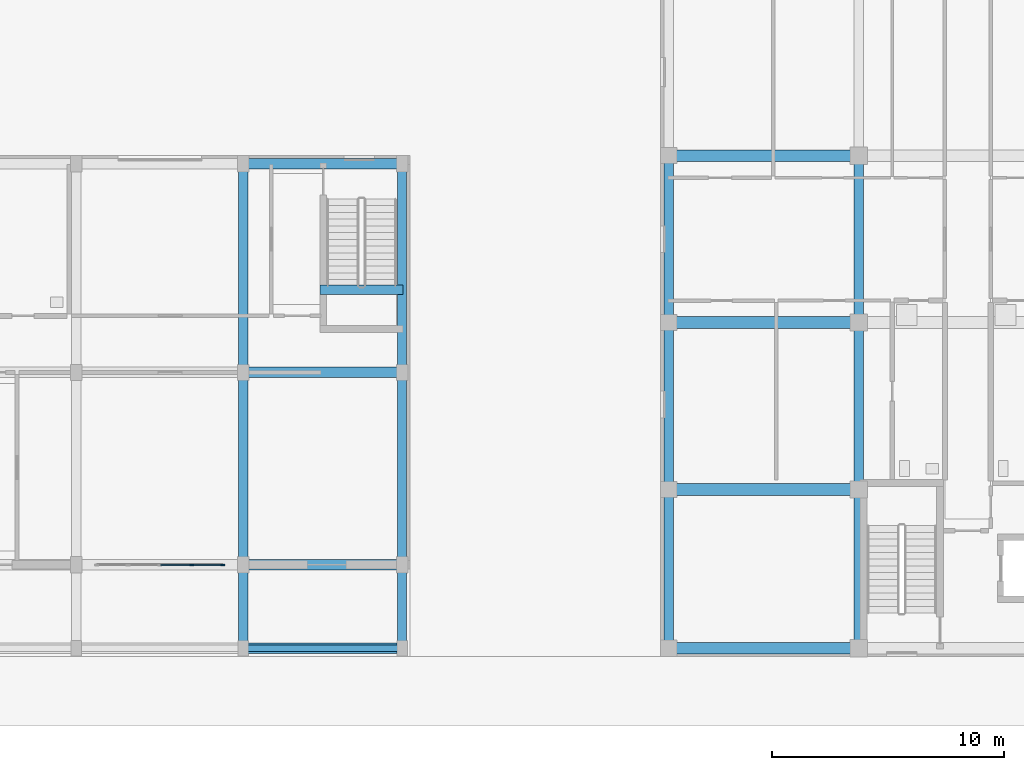
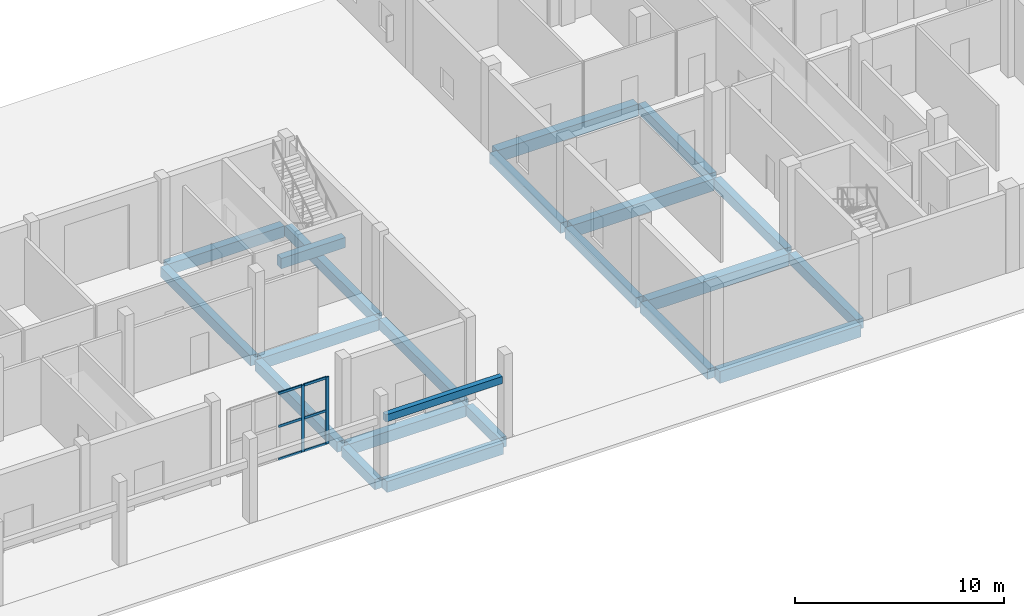
# One storey, part 23 of 85: 22 beams, 8 members, 1 element without a shape of its own.
"""IFC4 building model written with IfcOpenShell, lengths in metres."""

from ifc_helpers import new_model, si_unit, derived_unit, direction, frame, origin, origin_2d, place, context, subcontext, project, spatial, rectangle, extrude, material, layer, layer_set, material_profile, profile_set, type_object, element, aggregate, save


model = new_model("IFC4")

# Units and contexts
model_context = context("Model", 3, precision=1e-05, world=origin(), true_north=direction((0.0, 1.0)))
body_context = subcontext(model_context, "Body", "Model", "MODEL_VIEW")
ifc_project = project(units=[si_unit("LENGTHUNIT", "METRE"), si_unit("AREAUNIT", "SQUARE_METRE"), si_unit("VOLUMEUNIT", "CUBIC_METRE"), si_unit("PLANEANGLEUNIT", "RADIAN"), si_unit("MASSUNIT", "GRAM", prefix="KILO"), derived_unit("THERMALTRANSMITTANCEUNIT", [(si_unit("MASSUNIT", "GRAM", prefix="KILO"), 1), (si_unit("TIMEUNIT", "SECOND"), -3), (si_unit("THERMODYNAMICTEMPERATUREUNIT", "KELVIN"), -1)])], contexts=[model_context])

# Site, building, storey
site_placement = place(None, origin())
site = spatial("IfcSite", under=ifc_project, at=site_placement, CompositionType="ELEMENT")
building_placement = place(site_placement, origin())
building = spatial("IfcBuilding", under=site, at=building_placement, Name="Ochrekiln Boulevard Commons", CompositionType="ELEMENT")
storey_placement = place(building_placement, origin())
storey = spatial("IfcBuildingStorey", under=building, at=storey_placement, Name="L00", CompositionType="ELEMENT", Elevation=0.0)

# Beams
ifc_material_1 = material(Name="Concrete C35/45", Category="concrete")
ifc_material_profile_1 = material_profile(ifc_material_1, rectangle(XDim=0.39990234375, YDim=0.60009765625, at=origin_2d()), Name="RC-BM-400x600")
ifc_profile_set_1 = profile_set([ifc_material_profile_1], Name="Concrete C35/45")
beam_type_1 = type_object("IfcBeamType", Name="BM-RC-400x600", PredefinedType="BEAM", material=ifc_profile_set_1)
beam_1_placement = place(storey_placement, frame((147.949951171875, 0.56005859375, -0.580078125), z_axis=(0.0, 1.0, 0.0), x_axis=(-1.0, 0.0, 0.0)))
element("IfcBeam", 1, at=beam_1_placement, inside=storey, type_object=beam_type_1, Name="Block C L00 Beam B-4060 Y23", PredefinedType="BEAM", context=body_context, shape_type="SweptSolid", body=[
    extrude(rectangle(XDim=0.39990234375, YDim=0.60009765625, at=origin_2d()), origin(), (0.0, 0.0, 1.0), 6.429931640625),
])
beam_2_placement = place(storey_placement, frame((147.949951171875, 7.409912109375, -0.580078125), z_axis=(0.0, 1.0, 0.0), x_axis=(-1.0, 0.0, 0.0)))
element("IfcBeam", 2, at=beam_2_placement, inside=storey, type_object=beam_type_1, Name="Block C L00 Beam B-4060 Y24", PredefinedType="BEAM", context=body_context, shape_type="SweptSolid", body=[
    extrude(rectangle(XDim=0.39990234375, YDim=0.60009765625, at=origin_2d()), origin(), (0.0, 0.0, 1.0), 6.780029296875),
])
beam_3_placement = place(storey_placement, frame((147.949951171875, 14.610107421875, -0.580078125), z_axis=(0.0, 1.0, 0.0), x_axis=(-1.0, 0.0, 0.0)))
element("IfcBeam", 3, at=beam_3_placement, inside=storey, type_object=beam_type_1, Name="Block C L00 Beam B-4060 Y25", PredefinedType="BEAM", context=body_context, shape_type="SweptSolid", body=[
    extrude(rectangle(XDim=0.39990234375, YDim=0.60009765625, at=origin_2d()), origin(), (0.0, 0.0, 1.0), 6.77978515625),
])
beam_4_placement = place(storey_placement, frame((156.14990234375, 0.56005859375, -0.580078125), z_axis=(0.0, 1.0, 0.0), x_axis=(-1.0, 0.0, 0.0)))
element("IfcBeam", 4, at=beam_4_placement, inside=storey, type_object=beam_type_1, Name="Block C L00 Beam B-4060 Y30", PredefinedType="BEAM", context=body_context, shape_type="SweptSolid", body=[
    extrude(rectangle(XDim=0.39990234375, YDim=0.60009765625, at=origin_2d()), origin(), (0.0, 0.0, 1.0), 6.429931640625),
])
beam_5_placement = place(storey_placement, frame((156.14990234375, 7.409912109375, -0.580078125), z_axis=(0.0, 1.0, 0.0), x_axis=(-1.0, 0.0, 0.0)))
element("IfcBeam", 5, at=beam_5_placement, inside=storey, type_object=beam_type_1, Name="Block C L00 Beam B-4060 Y31", PredefinedType="BEAM", context=body_context, shape_type="SweptSolid", body=[
    extrude(rectangle(XDim=0.39990234375, YDim=0.60009765625, at=origin_2d()), origin(), (0.0, 0.0, 1.0), 6.780029296875),
])
beam_6_placement = place(storey_placement, frame((156.14990234375, 14.610107421875, -0.580078125), z_axis=(0.0, 1.0, 0.0), x_axis=(-1.0, 0.0, 0.0)))
element("IfcBeam", 6, at=beam_6_placement, inside=storey, type_object=beam_type_1, Name="Block C L00 Beam B-4060 Y32", PredefinedType="BEAM", context=body_context, shape_type="SweptSolid", body=[
    extrude(rectangle(XDim=0.39990234375, YDim=0.60009765625, at=origin_2d()), origin(), (0.0, 0.0, 1.0), 6.77978515625),
])
beam_7_placement = place(storey_placement, frame((129.60009765625, 0.56005859375, -0.590087890625), z_axis=(0.0, 1.0, 0.0), x_axis=(-1.0, 0.0, 0.0)))
element("IfcBeam", 7, at=beam_7_placement, inside=storey, type_object=beam_type_1, Name="East Boulevard Shops and Arcade L00 Beam B-4060 Y26", PredefinedType="BEAM", context=body_context, shape_type="SweptSolid", body=[
    extrude(rectangle(XDim=0.39990234375, YDim=0.60009765625, at=origin_2d()), origin(), (0.0, 0.0, 1.0), 3.179931640625),
])
beam_8_placement = place(storey_placement, frame((129.60009765625, 4.159912109375, -0.590087890625), z_axis=(0.0, 1.0, 0.0), x_axis=(-1.0, 0.0, 0.0)))
element("IfcBeam", 8, at=beam_8_placement, inside=storey, type_object=beam_type_1, Name="East Boulevard Shops and Arcade L00 Beam B-4060 Y27", PredefinedType="BEAM", context=body_context, shape_type="SweptSolid", body=[
    extrude(rectangle(XDim=0.39990234375, YDim=0.60009765625, at=origin_2d()), origin(), (0.0, 0.0, 1.0), 7.880126953125),
])
beam_9_placement = place(storey_placement, frame((129.60009765625, 12.4599609375, -0.590087890625), z_axis=(0.0, 1.0, 0.0), x_axis=(-1.0, 0.0, 0.0)))
element("IfcBeam", 9, at=beam_9_placement, inside=storey, type_object=beam_type_1, Name="East Boulevard Shops and Arcade L00 Beam B-4060 Y28", PredefinedType="BEAM", context=body_context, shape_type="SweptSolid", body=[
    extrude(rectangle(XDim=0.39990234375, YDim=0.60009765625, at=origin_2d()), origin(), (0.0, 0.0, 1.0), 8.580078125),
])
beam_10_placement = place(storey_placement, frame((136.449951171875, 0.56005859375, -0.590087890625), z_axis=(0.0, 1.0, 0.0), x_axis=(-1.0, 0.0, 0.0)))
element("IfcBeam", 10, at=beam_10_placement, inside=storey, type_object=beam_type_1, Name="East Boulevard Shops and Arcade L00 Beam B-4060 Y29", PredefinedType="BEAM", context=body_context, shape_type="SweptSolid", body=[
    extrude(rectangle(XDim=0.39990234375, YDim=0.60009765625, at=origin_2d()), origin(), (0.0, 0.0, 1.0), 3.179931640625),
])
beam_11_placement = place(storey_placement, frame((136.449951171875, 4.159912109375, -0.590087890625), z_axis=(0.0, 1.0, 0.0), x_axis=(-1.0, 0.0, 0.0)))
element("IfcBeam", 11, at=beam_11_placement, inside=storey, type_object=beam_type_1, Name="East Boulevard Shops and Arcade L00 Beam B-4060 Y30", PredefinedType="BEAM", context=body_context, shape_type="SweptSolid", body=[
    extrude(rectangle(XDim=0.39990234375, YDim=0.60009765625, at=origin_2d()), origin(), (0.0, 0.0, 1.0), 7.880126953125),
])
beam_12_placement = place(storey_placement, frame((136.449951171875, 12.4599609375, -0.590087890625), z_axis=(0.0, 1.0, 0.0), x_axis=(-1.0, 0.0, 0.0)))
element("IfcBeam", 12, at=beam_12_placement, inside=storey, type_object=beam_type_1, Name="East Boulevard Shops and Arcade L00 Beam B-4060 Y31", PredefinedType="BEAM", context=body_context, shape_type="SweptSolid", body=[
    extrude(rectangle(XDim=0.39990234375, YDim=0.60009765625, at=origin_2d()), origin(), (0.0, 0.0, 1.0), 8.580078125),
])
beam_13_placement = place(storey_placement, frame((132.919921875, 15.81005859375, 1.93994140625), z_axis=(1.0, 0.0, 0.0), x_axis=(0.0, 1.0, 0.0)))
element("IfcBeam", 13, at=beam_13_placement, inside=storey, type_object=beam_type_1, Name="Stair ST-E2 L00 Half-Landing Support Beam B-4060", PredefinedType="BEAM", context=body_context, shape_type="SweptSolid", body=[
    extrude(rectangle(XDim=0.39990234375, YDim=0.60009765625, at=origin_2d()), origin(), (0.0, 0.0, 1.0), 3.56005859375),
])
ifc_material_profile_2 = material_profile(ifc_material_1, rectangle(XDim=0.449951171875, YDim=0.64990234375, at=origin_2d()), Name="RC-BM-450x650")
ifc_profile_set_2 = profile_set([ifc_material_profile_2], Name="Concrete C35/45")
beam_type_2 = type_object("IfcBeamType", Name="BM-RC-450x650", PredefinedType="BEAM", material=ifc_profile_set_2)
for number, where, z_axis, x_axis, name in (
    (14, (129.81005859375, 0.35009765625, -0.614990234375), (1.0, 0.0, 0.0), (0.0, 1.0, 0.0), "East Boulevard Shops and Arcade L00 Beam B-4565 X4"),
    (15, (129.81005859375, 3.949951171875, -0.614990234375), (1.0, 0.0, 0.0), (0.0, 1.0, 0.0), "East Boulevard Shops and Arcade L00 Beam B-4565 X8"),
    (16, (129.81005859375, 12.25, -0.614990234375), (1.0, 0.0, 0.0), (0.0, 1.0, 0.0), "East Boulevard Shops and Arcade L00 Beam B-4565 X12"),
    (17, (129.81005859375, 21.25, -0.614990234375), (1.0, 0.0, 0.0), (0.0, 1.0, 0.0), "East Boulevard Shops and Arcade L00 Beam B-4565 X16"),
):
    element("IfcBeam", number, at=place(storey_placement, frame(where, z_axis=z_axis, x_axis=x_axis)), inside=storey, type_object=beam_type_2, Name=name, PredefinedType="BEAM", context=body_context, shape_type="SweptSolid", body=[
        extrude(rectangle(XDim=0.449951171875, YDim=0.64990234375, at=origin_2d()), origin(), (0.0, 0.0, 1.0), 6.429931640625),
    ])
ifc_material_2 = material(Name="Concrete C40/50", Category="concrete")
ifc_material_profile_3 = material_profile(ifc_material_2, rectangle(XDim=0.5, YDim=0.699951171875, at=origin_2d()), Name="RC-BM-500x700")
ifc_profile_set_3 = profile_set([ifc_material_profile_3], Name="Concrete C40/50")
beam_type_3 = type_object("IfcBeamType", Name="BM-RC-500x700", PredefinedType="BEAM", material=ifc_profile_set_3)
for number, where, z_axis, x_axis, name in (
    (18, (148.159912109375, 0.35009765625, -0.6298828125), (1.0, 0.0, 0.0), (0.0, 1.0, 0.0), "Block C L00 Beam B-5070 X1"),
    (19, (148.159912109375, 7.199951171875, -0.6298828125), (1.0, 0.0, 0.0), (0.0, 1.0, 0.0), "Block C L00 Beam B-5070 X4"),
    (20, (148.159912109375, 14.39990234375, -0.6298828125), (1.0, 0.0, 0.0), (0.0, 1.0, 0.0), "Block C L00 Beam B-5070 X6"),
    (21, (148.159912109375, 21.60009765625, -0.6298828125), (1.0, 0.0, 0.0), (0.0, 1.0, 0.0), "Block C L00 Beam B-5070 X9"),
):
    element("IfcBeam", number, at=place(storey_placement, frame(where, z_axis=z_axis, x_axis=x_axis)), inside=storey, type_object=beam_type_3, Name=name, PredefinedType="BEAM", context=body_context, shape_type="SweptSolid", body=[
        extrude(rectangle(XDim=0.5, YDim=0.699951171875, at=origin_2d()), origin(), (0.0, 0.0, 1.0), 7.780029296875),
    ])

# Curtain wall, members
ifc_material_3 = material(Name="Bronze-anodized extruded aluminium 6063-T6", Category="aluminium")
ifc_layer = layer(ifc_material_3, 0.2080078125)
ifc_layer_set = layer_set([ifc_layer], Name="Bronze-anodized extruded aluminium 6063-T6")
curtain_wall_type = type_object("IfcCurtainWallType", Name="CW-SHOP", PredefinedType="USERDEFINED", material=ifc_layer_set)
curtain_wall_placement = place(storey_placement, origin())
curtain_wall = element("IfcCurtainWall", 22, at=curtain_wall_placement, inside=storey, type_object=curtain_wall_type, Name="East Boulevard Arcade Glazed Shopfront Curtain Wall 3", ObjectType="GLAZED CURTAIN WALL", PredefinedType="USERDEFINED")
ifc_material_profile_4 = material_profile(ifc_material_3, rectangle(XDim=0.06494140625, YDim=0.179931640625, at=origin_2d()), Name="ALU-MUL-65x180")
ifc_profile_set_4 = profile_set([ifc_material_profile_4], Name="Bronze-anodized extruded aluminium 6063-T6")
member_type_1 = type_object("IfcMemberType", Name="CWM-65x180", PredefinedType="MULLION", material=ifc_profile_set_4)
member_1_placement = place(storey_placement, frame((127.375, 3.949951171875, 0.0), z_axis=(0.0, 0.0, 1.0), x_axis=(0.0, 1.0, 0.0)))
member_1 = element("IfcMember", 23, at=member_1_placement, type_object=member_type_1, Name="CW-04 mullion 4", PredefinedType="MULLION", context=body_context, shape_type="SweptSolid", body=[
    extrude(rectangle(XDim=0.06494140625, YDim=0.179931640625, at=origin_2d()), origin(), (0.0, 0.0, 1.0), 3.89990234375),
])
member_2_placement = place(storey_placement, frame((128.717529296875, 3.949951171875, 0.0), z_axis=(0.0, 0.0, 1.0), x_axis=(0.0, 1.0, 0.0)))
member_2 = element("IfcMember", 24, at=member_2_placement, type_object=member_type_1, Name="CW-04 mullion 5", PredefinedType="MULLION", context=body_context, shape_type="SweptSolid", body=[
    extrude(rectangle(XDim=0.06494140625, YDim=0.179931640625, at=origin_2d()), origin(), (0.0, 0.0, 1.0), 3.89990234375),
])
ifc_material_profile_5 = material_profile(ifc_material_3, rectangle(XDim=0.06494140625, YDim=0.139892578125, at=origin_2d()), Name="ALU-TRN-65x140")
ifc_profile_set_5 = profile_set([ifc_material_profile_5], Name="Bronze-anodized extruded aluminium 6063-T6")
member_type_2 = type_object("IfcMemberType", Name="CWT-65x140", PredefinedType="USERDEFINED", material=ifc_profile_set_5)
member_3_placement = place(storey_placement, frame((126.032470703125, 3.949951171875, 0.032470703125), z_axis=(1.0, 0.0, 0.0), x_axis=(0.0, 1.0, 0.0)))
member_3 = element("IfcMember", 25, at=member_3_placement, type_object=member_type_2, Name="CW-04 transom 3.1", ObjectType="TRANSOM", PredefinedType="USERDEFINED", context=body_context, shape_type="SweptSolid", body=[
    extrude(rectangle(XDim=0.06494140625, YDim=0.139892578125, at=origin_2d()), origin(), (0.0, 0.0, 1.0), 1.31005859375),
])
member_4_placement = place(storey_placement, frame((126.032470703125, 3.949951171875, 1.949951171875), z_axis=(1.0, 0.0, 0.0), x_axis=(0.0, 1.0, 0.0)))
member_4 = element("IfcMember", 26, at=member_4_placement, type_object=member_type_2, Name="CW-04 transom 3.2", ObjectType="TRANSOM", PredefinedType="USERDEFINED", context=body_context, shape_type="SweptSolid", body=[
    extrude(rectangle(XDim=0.06494140625, YDim=0.139892578125, at=origin_2d()), origin(), (0.0, 0.0, 1.0), 1.31005859375),
])
member_5_placement = place(storey_placement, frame((126.032470703125, 3.949951171875, 3.867431640625), z_axis=(1.0, 0.0, 0.0), x_axis=(0.0, 1.0, 0.0)))
member_5 = element("IfcMember", 27, at=member_5_placement, type_object=member_type_2, Name="CW-04 transom 3.3", ObjectType="TRANSOM", PredefinedType="USERDEFINED", context=body_context, shape_type="SweptSolid", body=[
    extrude(rectangle(XDim=0.06494140625, YDim=0.139892578125, at=origin_2d()), origin(), (0.0, 0.0, 1.0), 1.31005859375),
])
member_6_placement = place(storey_placement, frame((127.407470703125, 3.949951171875, 0.032470703125), z_axis=(1.0, 0.0, 0.0), x_axis=(0.0, 1.0, 0.0)))
member_6 = element("IfcMember", 28, at=member_6_placement, type_object=member_type_2, Name="CW-04 transom 4.1", ObjectType="TRANSOM", PredefinedType="USERDEFINED", context=body_context, shape_type="SweptSolid", body=[
    extrude(rectangle(XDim=0.06494140625, YDim=0.139892578125, at=origin_2d()), origin(), (0.0, 0.0, 1.0), 1.277587890625),
])
member_7_placement = place(storey_placement, frame((127.407470703125, 3.949951171875, 1.949951171875), z_axis=(1.0, 0.0, 0.0), x_axis=(0.0, 1.0, 0.0)))
member_7 = element("IfcMember", 29, at=member_7_placement, type_object=member_type_2, Name="CW-04 transom 4.2", ObjectType="TRANSOM", PredefinedType="USERDEFINED", context=body_context, shape_type="SweptSolid", body=[
    extrude(rectangle(XDim=0.06494140625, YDim=0.139892578125, at=origin_2d()), origin(), (0.0, 0.0, 1.0), 1.277587890625),
])
member_8_placement = place(storey_placement, frame((127.407470703125, 3.949951171875, 3.867431640625), z_axis=(1.0, 0.0, 0.0), x_axis=(0.0, 1.0, 0.0)))
member_8 = element("IfcMember", 30, at=member_8_placement, type_object=member_type_2, Name="CW-04 transom 4.3", ObjectType="TRANSOM", PredefinedType="USERDEFINED", context=body_context, shape_type="SweptSolid", body=[
    extrude(rectangle(XDim=0.06494140625, YDim=0.139892578125, at=origin_2d()), origin(), (0.0, 0.0, 1.0), 1.277587890625),
])
aggregate(curtain_wall, [member_1, member_2, member_3, member_4, member_5, member_6, member_7, member_8])

# Beam
ifc_material_4 = material(Name="Precast concrete C40/50", Category="concrete")
ifc_material_profile_6 = material_profile(ifc_material_4, rectangle(XDim=0.280029296875, YDim=0.419921875, at=origin_2d()), Name="RC-LIN-280x420")
ifc_profile_set_6 = profile_set([ifc_material_profile_6], Name="Precast concrete C40/50")
beam_type_4 = type_object("IfcBeamType", Name="LIN-PC-280x420", PredefinedType="LINTEL", material=ifc_profile_set_6)
beam_14_placement = place(storey_placement, frame((129.800048828125, 0.35009765625, 3.340087890625), z_axis=(1.0, 0.0, 0.0), x_axis=(0.0, 1.0, 0.0)))
element("IfcBeam", 31, at=beam_14_placement, inside=storey, type_object=beam_type_4, Name="Boulevard Colonnade Precast Arch Lintel LN-2842 (8)", PredefinedType="LINTEL", context=body_context, shape_type="SweptSolid", body=[
    extrude(rectangle(XDim=0.280029296875, YDim=0.419921875, at=origin_2d()), origin(), (0.0, 0.0, 1.0), 6.449951171875),
])

save(model, "model.ifc")
